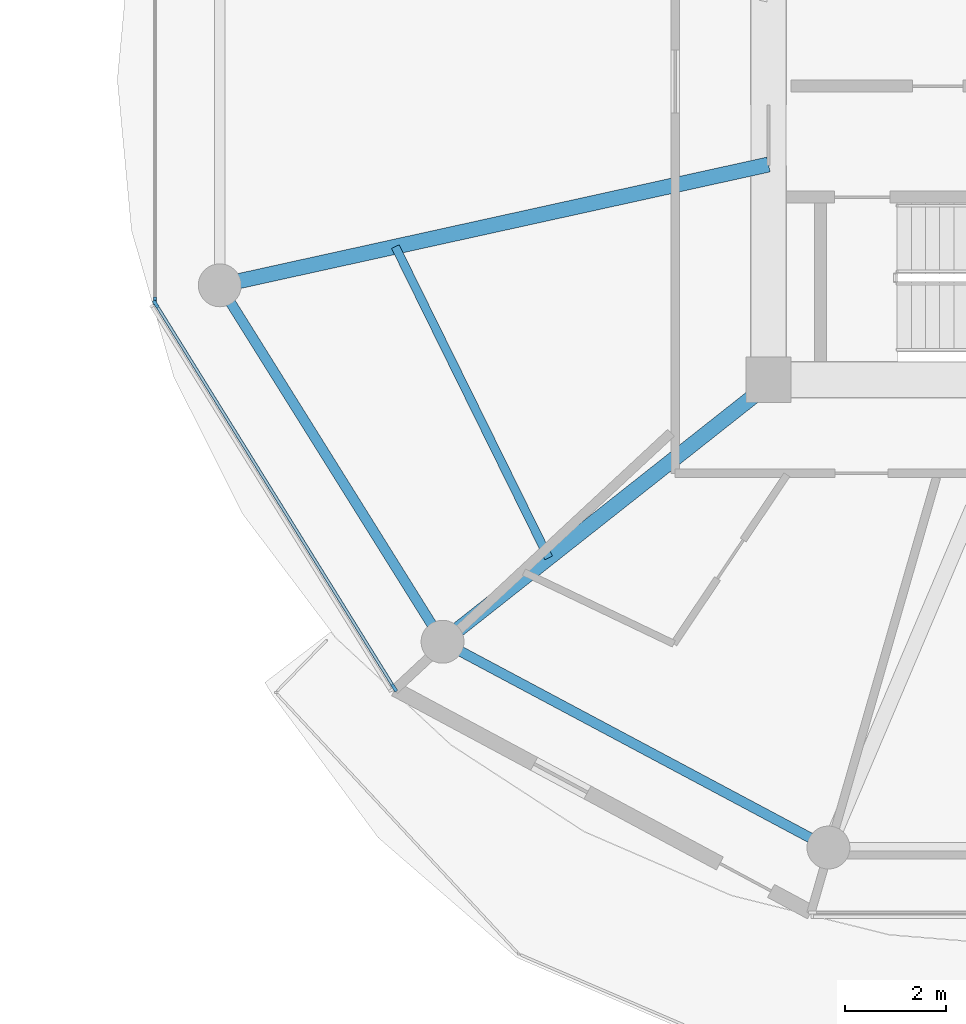
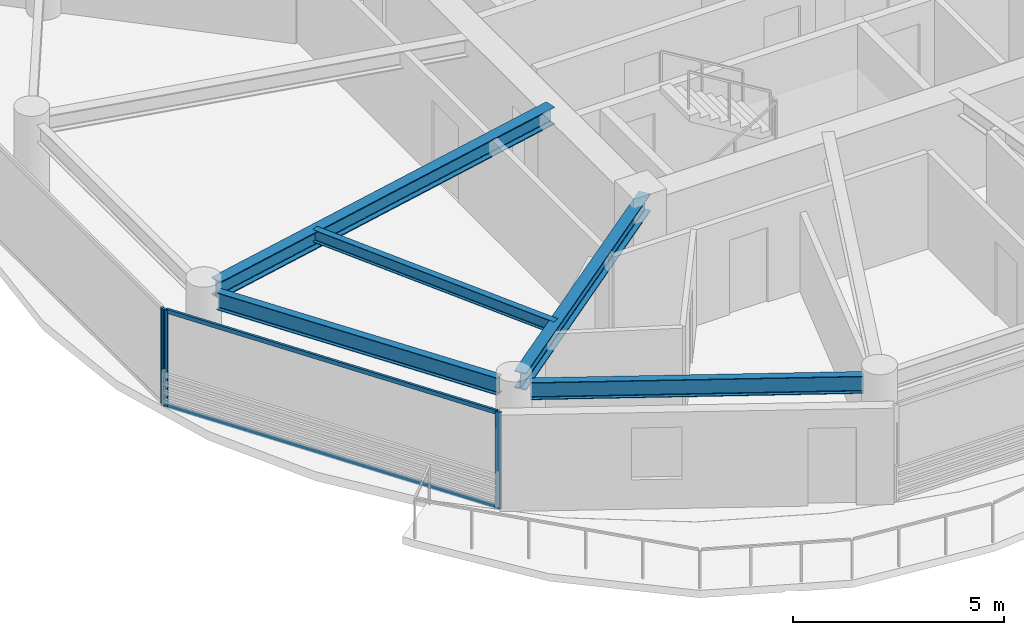
# One storey, part 6 of 22: 5 beams, 5 members, 2 elements without a shape of their own.
"""IFC4 building model written with IfcOpenShell, lengths in metres."""

from ifc_helpers import new_model, si_unit, direction, frame, origin, origin_2d, place, context, subcontext, project, spatial, rectangle, i_section, extrude, source, transform, mapped, material, layer, layer_set, material_profile, profile_set, type_object, type_shapes, element, aggregate, save


model = new_model("IFC4")

# Units and contexts
model_context = context("Model", 3, precision=1e-05, world=origin(), true_north=direction((0.0, 1.0)))
body_context = subcontext(model_context, "Body", "Model", "MODEL_VIEW")
ifc_project = project(units=[si_unit("LENGTHUNIT", "METRE"), si_unit("AREAUNIT", "SQUARE_METRE"), si_unit("VOLUMEUNIT", "CUBIC_METRE"), si_unit("PLANEANGLEUNIT", "RADIAN"), si_unit("MASSUNIT", "GRAM", prefix="KILO")], contexts=[model_context])

# Site, building, storey
site_placement = place(None, origin())
site = spatial("IfcSite", under=ifc_project, at=site_placement, CompositionType="ELEMENT")
building_placement = place(site_placement, origin())
building = spatial("IfcBuilding", under=site, at=building_placement, Name="Norrkilde Senior Care Towers", CompositionType="ELEMENT")
storey_placement = place(building_placement, frame((0.0, 0.0, 87.10009765625)))
storey = spatial("IfcBuildingStorey", under=building, at=storey_placement, Name="L26", CompositionType="ELEMENT", Elevation=87.10009765625)

# Beams
ifc_material_1 = material(Name="Steel S355", Category="steel")
ifc_material_profile_1 = material_profile(ifc_material_1, i_section(OverallWidth=0.199951171875, OverallDepth=0.5, WebThickness=0.01025390625, FlangeThickness=0.01611328125, FilletRadius=0.02099609375, at=origin_2d()), Name="IPE 500")
ifc_profile_set_1 = profile_set([ifc_material_profile_1], Name="Steel S355")
beam_type_1 = type_object("IfcBeamType", Name="Perimeter Ring Spandrel Z2 IPE500", PredefinedType="SPANDREL", material=ifc_profile_set_1)
shared_shape_1 = source(origin(), body_context, "Body", "SweptSolid", [
    extrude(i_section(OverallWidth=0.199951171875, OverallDepth=0.5, WebThickness=0.01025390625, FlangeThickness=0.01611328125, FilletRadius=0.02099609375, at=origin_2d()), origin(), (0.0, 0.0, 1.0), 7.55615234375),
])
beam_1_placement = place(storey_placement, frame((9.68505859375, -4.40283203125, 2.539794921875), z_axis=(0.529981514254, -0.848009194849, 0.0), x_axis=(0.848009194849, 0.529981514254, 0.0)))
element("IfcBeam", 1, at=beam_1_placement, inside=storey, type_object=beam_type_1, Name="L26 Drum E Perimeter Spandrel 07", PredefinedType="SPANDREL", context=body_context, shape_type="MappedRepresentation", body=[
    mapped(shared_shape_1, transform((0.0, 0.0, 0.0), x_axis=(1.0, 0.0, 0.0), y_axis=(0.0, 1.0, 0.0), z_axis=(0.0, 0.0, 1.0), scale=1.0)),
])
ifc_material_profile_2 = material_profile(ifc_material_1, i_section(OverallWidth=0.300048828125, OverallDepth=0.5, WebThickness=0.014404296875, FlangeThickness=0.028076171875, FilletRadius=0.027099609375, at=origin_2d()), Name="HEB 500")
ifc_profile_set_2 = profile_set([ifc_material_profile_2], Name="Steel S355")
beam_type_2 = type_object("IfcBeamType", Name="Radial Floor Beam Z2 HEB500", PredefinedType="BEAM", material=ifc_profile_set_2)
shared_shape_2 = source(origin(), body_context, "Body", "SweptSolid", [
    extrude(i_section(OverallWidth=0.300048828125, OverallDepth=0.5, WebThickness=0.014404296875, FlangeThickness=0.028076171875, FilletRadius=0.027099609375, at=origin_2d()), origin(), (0.0, 0.0, 1.0), 10.744384765625),
])
beam_2_placement = place(storey_placement, frame((20.35009765625, -1.683837890625, 2.539794921875), z_axis=(-0.976618711422, -0.214978818724, 0.0), x_axis=(0.214978818724, -0.976618711422, 0.0)))
element("IfcBeam", 2, at=beam_2_placement, inside=storey, type_object=beam_type_2, Name="L26 Drum E Radial Floor Beam 07", PredefinedType="BEAM", context=body_context, shape_type="MappedRepresentation", body=[
    mapped(shared_shape_2, transform((0.0, 0.0, 0.0), x_axis=(1.0, 0.0, 0.0), y_axis=(0.0, 1.0, 0.0), z_axis=(0.0, 0.0, 1.0), scale=1.0)),
])
shared_shape_3 = source(origin(), body_context, "Body", "SweptSolid", [
    extrude(i_section(OverallWidth=0.199951171875, OverallDepth=0.5, WebThickness=0.01025390625, FlangeThickness=0.01611328125, FilletRadius=0.02099609375, at=origin_2d()), origin(), (0.0, 0.0, 1.0), 7.892333984375),
])
type_shapes(beam_type_1, [shared_shape_1, shared_shape_3])
beam_3_placement = place(storey_placement, frame((14.233642578125, -11.318115234375, 2.539794921875), z_axis=(0.882350372282, -0.47059305194, 0.0), x_axis=(0.47059305194, 0.882350372282, 0.0)))
element("IfcBeam", 3, at=beam_3_placement, inside=storey, type_object=beam_type_1, Name="L26 Drum E Perimeter Spandrel 08", PredefinedType="SPANDREL", context=body_context, shape_type="MappedRepresentation", body=[
    mapped(shared_shape_3, transform((0.0, 0.0, 0.0), x_axis=(1.0, 0.0, 0.0), y_axis=(0.0, 1.0, 0.0), z_axis=(0.0, 0.0, 1.0), scale=1.0)),
])
shared_shape_4 = source(origin(), body_context, "Body", "SweptSolid", [
    extrude(i_section(OverallWidth=0.300048828125, OverallDepth=0.5, WebThickness=0.014404296875, FlangeThickness=0.028076171875, FilletRadius=0.027099609375, at=origin_2d()), origin(), (0.0, 0.0, 1.0), 7.985595703125),
])
type_shapes(beam_type_2, [shared_shape_2, shared_shape_4])
beam_4_placement = place(storey_placement, frame((20.463623046875, -5.949951171875, 2.539794921875), z_axis=(-0.784858505144, -0.619675017169, 0.0), x_axis=(0.619675017169, -0.784858505144, 0.0)))
element("IfcBeam", 4, at=beam_4_placement, inside=storey, type_object=beam_type_2, Name="L26 Drum E Radial Floor Beam 08", PredefinedType="BEAM", context=body_context, shape_type="MappedRepresentation", body=[
    mapped(shared_shape_4, transform((0.0, 0.0, 0.0), x_axis=(1.0, 0.0, 0.0), y_axis=(0.0, 1.0, 0.0), z_axis=(0.0, 0.0, 1.0), scale=1.0)),
])
ifc_material_profile_3 = material_profile(ifc_material_1, i_section(OverallWidth=0.169921875, OverallDepth=0.360107421875, WebThickness=0.008056640625, FlangeThickness=0.0126953125, FilletRadius=0.01806640625, at=origin_2d()), Name="IPE 360")
ifc_profile_set_3 = profile_set([ifc_material_profile_3], Name="Steel S355")
beam_type_3 = type_object("IfcBeamType", Name="Secondary Floor Joist IPE360", PredefinedType="JOIST", material=ifc_profile_set_3)
shared_shape_5 = source(origin(), body_context, "Body", "SweptSolid", [
    extrude(i_section(OverallWidth=0.169921875, OverallDepth=0.360107421875, WebThickness=0.008056640625, FlangeThickness=0.0126953125, FilletRadius=0.01806640625, at=origin_2d()), origin(), (0.0, 0.0, 1.0), 6.87353515625),
])
type_shapes(beam_type_3, [shared_shape_5])
beam_5_placement = place(storey_placement, frame((12.958984375, -3.310791015625, 2.60986328125), z_axis=(0.44184939592, -0.897089243791, 0.0), x_axis=(0.897089243791, 0.44184939592, 0.0)))
element("IfcBeam", 5, at=beam_5_placement, inside=storey, type_object=beam_type_3, Name="L26 Drum E Secondary Floor Joist 3", PredefinedType="JOIST", context=body_context, shape_type="MappedRepresentation", body=[
    mapped(shared_shape_5, transform((0.0, 0.0, 0.0), x_axis=(1.0, 0.0, 0.0), y_axis=(0.0, 1.0, 0.0), z_axis=(0.0, 0.0, 1.0), scale=1.0)),
])

# Curtain wall, member
ifc_material_2 = material(Name="Triple Low-E Insulated Glazing", Category="glass")
ifc_layer = layer(ifc_material_2, 0.195068359375)
ifc_layer_set = layer_set([ifc_layer], Name="Triple Low-E Insulated Glazing")
curtain_wall_type = type_object("IfcCurtainWallType", Name="CW3 Zone 2 Assisted Living Curtain Wall", PredefinedType="NOTDEFINED", material=ifc_layer_set)
curtain_wall_1_placement = place(storey_placement, origin())
curtain_wall_1 = element("IfcCurtainWall", 6, at=curtain_wall_1_placement, inside=storey, type_object=curtain_wall_type, Name="L26 Drum E Curtain Wall 05", PredefinedType="NOTDEFINED")
ifc_material_3 = material(Name="Anodised Aluminium", Category="aluminium")
ifc_material_profile_4 = material_profile(ifc_material_3, rectangle(XDim=0.06494140625, YDim=0.159912109375, at=origin_2d()), Name="ALU MULL 65x160")
ifc_profile_set_4 = profile_set([ifc_material_profile_4], Name="Anodised Aluminium")
member_type_1 = type_object("IfcMemberType", Name="Curtain Wall Mullion Z1-Z2 65x160", PredefinedType="MULLION", material=ifc_profile_set_4)
shared_shape_6 = source(origin(), body_context, "Body", "SweptSolid", [
    extrude(rectangle(XDim=0.06494140625, YDim=0.159912109375, at=origin_2d()), origin(), (0.0, 0.0, 1.0), 2.789794921875),
])
type_shapes(member_type_1, [shared_shape_6])
member_1_placement = place(storey_placement, frame((8.1962890625, -4.38818359375, 0.0), z_axis=(0.0, 0.0, 1.0), x_axis=(-1.0, 0.0, 0.0)))
member_1 = element("IfcMember", 7, at=member_1_placement, type_object=member_type_1, Name="CW-3 mullion 1", PredefinedType="MULLION", context=body_context, shape_type="MappedRepresentation", body=[
    mapped(shared_shape_6, transform((0.0, 0.0, 0.0), x_axis=(1.0, 0.0, 0.0), y_axis=(0.0, 1.0, 0.0), z_axis=(0.0, 0.0, 1.0), scale=1.0)),
])
aggregate(curtain_wall_1, [member_1])

# Curtain wall, members
curtain_wall_2_placement = place(storey_placement, origin())
curtain_wall_2 = element("IfcCurtainWall", 8, at=curtain_wall_2_placement, inside=storey, type_object=curtain_wall_type, Name="L26 Drum E Curtain Wall 06", PredefinedType="NOTDEFINED")
member_2_placement = place(storey_placement, frame((12.936279296875, -12.0498046875, 0.0), z_axis=(0.0, 0.0, 1.0), x_axis=(-0.849410171862, -0.527733228002, 0.0)))
member_2 = element("IfcMember", 9, at=member_2_placement, type_object=member_type_1, Name="CW-3 mullion 1", PredefinedType="MULLION", context=body_context, shape_type="MappedRepresentation", body=[
    mapped(shared_shape_6, transform((0.0, 0.0, 0.0), x_axis=(1.0, 0.0, 0.0), y_axis=(0.0, 1.0, 0.0), z_axis=(0.0, 0.0, 1.0), scale=1.0)),
])
member_3_placement = place(storey_placement, frame((8.21337890625, -4.4482421875, 0.0), z_axis=(0.0, 0.0, 1.0), x_axis=(-0.849410171862, -0.527733228002, 0.0)))
member_3 = element("IfcMember", 10, at=member_3_placement, type_object=member_type_1, Name="CW-3 mullion 2", PredefinedType="MULLION", context=body_context, shape_type="MappedRepresentation", body=[
    mapped(shared_shape_6, transform((0.0, 0.0, 0.0), x_axis=(1.0, 0.0, 0.0), y_axis=(0.0, 1.0, 0.0), z_axis=(0.0, 0.0, 1.0), scale=1.0)),
])
ifc_material_profile_5 = material_profile(ifc_material_3, rectangle(XDim=0.06005859375, YDim=0.1201171875, at=origin_2d()), Name="ALU TRAN 60x120")
ifc_profile_set_5 = profile_set([ifc_material_profile_5], Name="Anodised Aluminium")
member_type_2 = type_object("IfcMemberType", Name="Curtain Wall Transom Typical 60x120", PredefinedType="USERDEFINED", material=ifc_profile_set_5)
shared_shape_7 = source(origin(), body_context, "Body", "SweptSolid", [
    extrude(rectangle(XDim=0.06005859375, YDim=0.1201171875, at=origin_2d()), origin(), (0.0, 0.0, 1.0), 8.88427734375),
])
type_shapes(member_type_2, [shared_shape_7])
member_4_placement = place(storey_placement, frame((12.919189453125, -12.022216796875, 0.02978515625), z_axis=(-0.527749293309, 0.849400190377, 0.0), x_axis=(-0.849400190377, -0.527749293309, 0.0)))
member_4 = element("IfcMember", 11, at=member_4_placement, type_object=member_type_2, Name="CW-3 transom 1.1", ObjectType="TRANSOM", PredefinedType="USERDEFINED", context=body_context, shape_type="MappedRepresentation", body=[
    mapped(shared_shape_7, transform((0.0, 0.0, 0.0), x_axis=(1.0, 0.0, 0.0), y_axis=(0.0, 1.0, 0.0), z_axis=(0.0, 0.0, 1.0), scale=1.0)),
])
member_5_placement = place(storey_placement, frame((12.919189453125, -12.022216796875, 2.760009765625), z_axis=(-0.527749293309, 0.849400190377, 0.0), x_axis=(-0.849400190377, -0.527749293309, 0.0)))
member_5 = element("IfcMember", 12, at=member_5_placement, type_object=member_type_2, Name="CW-3 transom 1.2", ObjectType="TRANSOM", PredefinedType="USERDEFINED", context=body_context, shape_type="MappedRepresentation", body=[
    mapped(shared_shape_7, transform((0.0, 0.0, 0.0), x_axis=(1.0, 0.0, 0.0), y_axis=(0.0, 1.0, 0.0), z_axis=(0.0, 0.0, 1.0), scale=1.0)),
])
aggregate(curtain_wall_2, [member_2, member_3, member_4, member_5])

save(model, "model.ifc")
